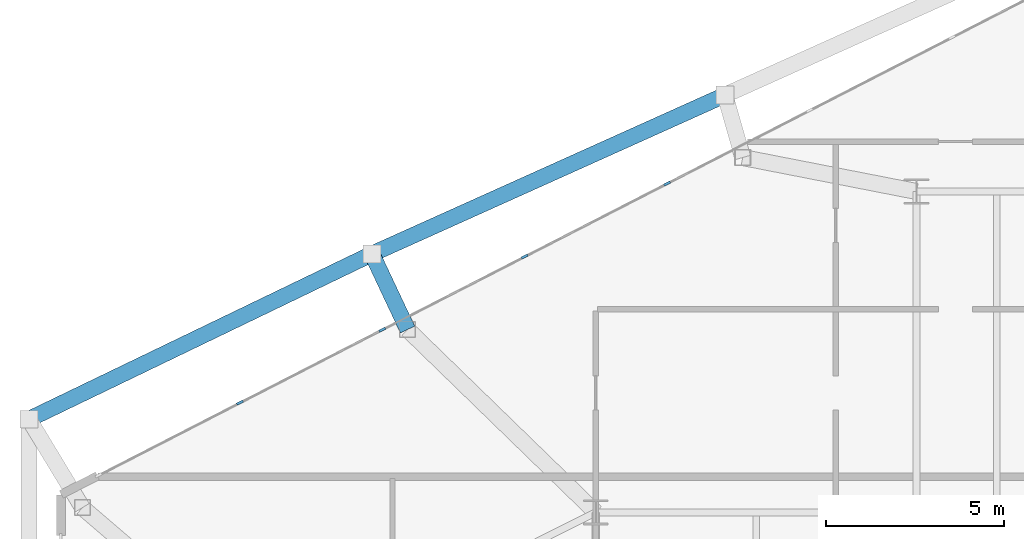
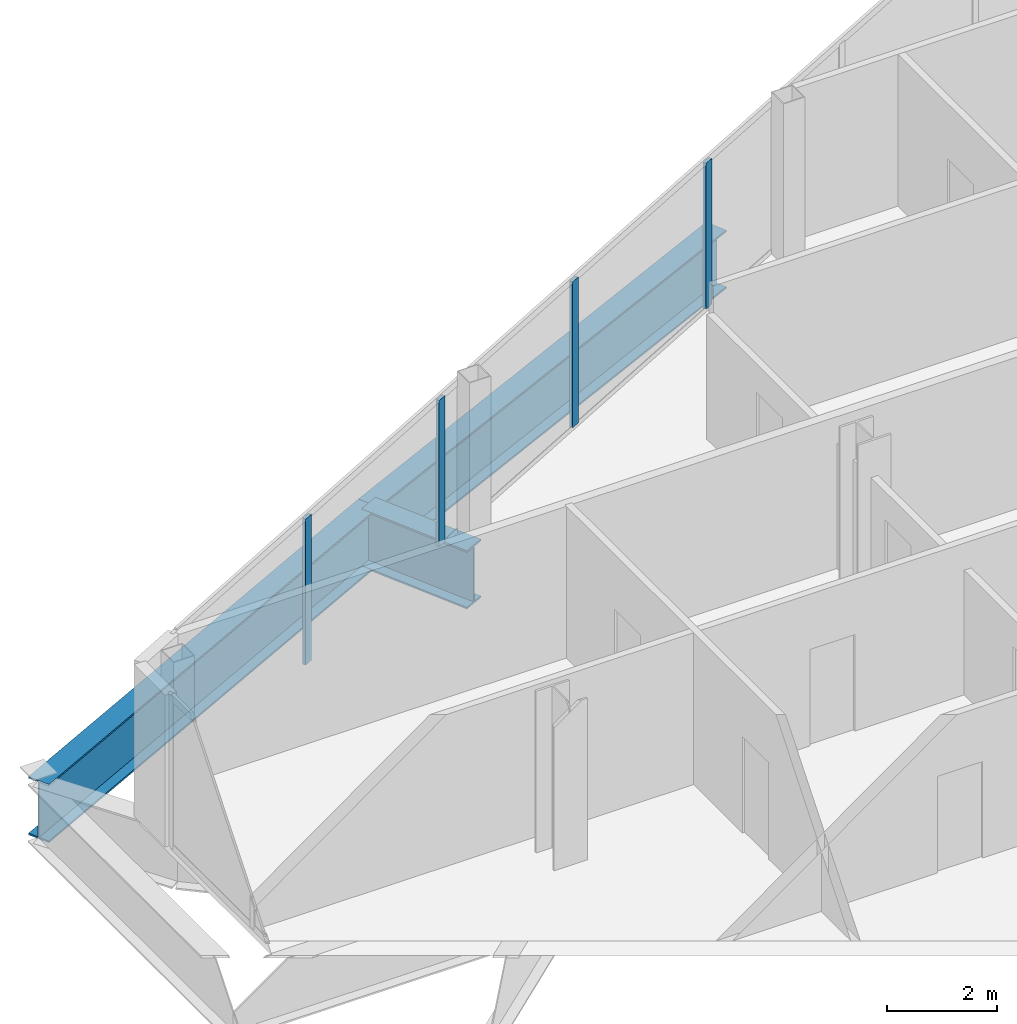
# One storey, part 7 of 28: 4 members, 3 beams, 1 element without a shape of its own.
"""IFC4 building model written with IfcOpenShell, lengths in metres."""

import ifcopenshell
import ifcopenshell.guid

model = None  # the IFC model being written
_history = None  # IfcOwnerHistory: only IFC2X3 demands one
_inside = {}  # id of a spatial element -> (the spatial element, [elements in it])
_under = {}  # id of a project, library or spatial element -> (it, [spatial elements below it])
_declared = {}  # id of a project -> (the project, [libraries it declares])
_typed = {}  # id of a type object -> (the type object, [elements of that type])
_made_of = {}  # id of a material, layer set ... -> (it, [elements and type objects made of it])


def new_model(schema):
    """Start an empty IFC model of exactly this schema.

    Asked for "IFC4X3", IfcOpenShell would pick the latest addendum, in which some entities
    have other attributes; the version numbers below select the first issue.
    IFC2X3 requires an IfcOwnerHistory on every rooted entity: one is made here for all.
    """
    global model, _history
    if schema == "IFC4X3":
        model = ifcopenshell.file(schema_version=(4, 3, 0, 0))
    else:
        model = ifcopenshell.file(schema=schema)
    _inside.clear()
    _under.clear()
    _declared.clear()
    _typed.clear()
    _made_of.clear()
    _history = None
    if model.schema == "IFC2X3":
        org = make("IfcOrganization", Name="unknown")
        user = make(
            "IfcPersonAndOrganization",
            ThePerson=make("IfcPerson", FamilyName="unknown"),
            TheOrganization=org,
        )
        app = make(
            "IfcApplication",
            ApplicationDeveloper=org,
            Version="unknown",
            ApplicationFullName="unknown",
            ApplicationIdentifier="unknown",
        )
        _history = make(
            "IfcOwnerHistory",
            OwningUser=user,
            OwningApplication=app,
            ChangeAction="ADDED",
            CreationDate=0,
        )
    return model


def make(cls, **values):
    """One entity of the class cls with the attributes given. An attribute that is None is left unset."""
    return model.create_entity(
        cls, **{name: value for name, value in values.items() if value is not None}
    )


def rooted(cls, **values):
    """An entity with a GlobalId (a new one), such as an element, a storey or a relation."""
    return make(cls, GlobalId=ifcopenshell.guid.new(), OwnerHistory=_history, **values)


def si_unit(unit_type, name, prefix=None):
    """IfcSIUnit, for example si_unit("LENGTHUNIT", "METRE", prefix="MILLI")."""
    return make("IfcSIUnit", UnitType=unit_type, Prefix=prefix, Name=name)


def assignment(units):
    """IfcUnitAssignment: the units of a project."""
    return None if units is None else make("IfcUnitAssignment", Units=units)


def point(xyz):
    """IfcCartesianPoint."""
    return None if xyz is None else make("IfcCartesianPoint", Coordinates=xyz)


def direction(xyz):
    """IfcDirection."""
    return None if xyz is None else make("IfcDirection", DirectionRatios=xyz)


def frame(location, z_axis=None, x_axis=None):
    """IfcAxis2Placement3D, a coordinate frame: its origin and axes. An axis left out is left unset."""
    return make(
        "IfcAxis2Placement3D",
        Location=point(location),
        Axis=direction(z_axis),
        RefDirection=direction(x_axis),
    )


def frame_2d(location, x_axis=None):
    """IfcAxis2Placement2D, a coordinate frame in the plane: its origin and x axis."""
    return make(
        "IfcAxis2Placement2D", Location=point(location), RefDirection=direction(x_axis)
    )


def origin():
    """The frame at (0, 0, 0) with its axes left unset."""
    return frame((0.0, 0.0, 0.0))


def origin_2d():
    """The frame at (0, 0) in the plane with its x axis left unset."""
    return frame_2d((0.0, 0.0))


def place(relative_to, where):
    """IfcLocalPlacement: puts the frame where relative to a parent placement (None: the world)."""
    return make(
        "IfcLocalPlacement", PlacementRelTo=relative_to, RelativePlacement=where
    )


def context(
    kind, dimensions, precision=None, world=None, true_north=None, identifier=None
):
    """IfcGeometricRepresentationContext, for example the 3D "Model" context."""
    return make(
        "IfcGeometricRepresentationContext",
        ContextIdentifier=identifier,
        ContextType=kind,
        CoordinateSpaceDimension=dimensions,
        Precision=precision,
        WorldCoordinateSystem=world,
        TrueNorth=true_north,
    )


def subcontext(parent, identifier, kind, view, scale=None):
    """IfcGeometricRepresentationSubContext, for example "Body" below "Model"."""
    return make(
        "IfcGeometricRepresentationSubContext",
        ContextIdentifier=identifier,
        ContextType=kind,
        ParentContext=parent,
        TargetScale=scale,
        TargetView=view,
    )


def project(units=None, contexts=None):
    """IfcProject with its units and contexts."""
    return rooted(
        "IfcProject",
        Name="project",
        RepresentationContexts=contexts,
        UnitsInContext=assignment(units),
    )


def spatial(cls, under=None, at=None, **own):
    """A site, building, storey or space (cls), placed at a placement, below another one or the project."""
    s = rooted(cls, ObjectPlacement=at, **own)
    if under is not None:
        _under.setdefault(under.id(), (under, []))[1].append(s)
    return s


def profile(cls, at=None, kind="AREA", **sizes):
    """A parametric profile (cls). Its sizes go by their IFC names, for example OverallWidth=200.0."""
    return make(cls, ProfileType=kind, Position=at, **sizes)


def rectangle(**sizes):
    """IfcRectangleProfileDef."""
    return profile("IfcRectangleProfileDef", **sizes)


def i_section(**sizes):
    """IfcIShapeProfileDef."""
    return profile("IfcIShapeProfileDef", **sizes)


def extrude(swept, where, along, depth):
    """IfcExtrudedAreaSolid: the profile swept, set in the frame where, extruded along a direction by depth."""
    return make(
        "IfcExtrudedAreaSolid",
        SweptArea=swept,
        Position=where,
        ExtrudedDirection=direction(along),
        Depth=depth,
    )


def shape(context_of_items, identifier, shape_type, items):
    """IfcShapeRepresentation: the items that make up one representation, for example the "Body"."""
    return make(
        "IfcShapeRepresentation",
        ContextOfItems=context_of_items,
        RepresentationIdentifier=identifier,
        RepresentationType=shape_type,
        Items=items,
    )


def source(mapping_origin, context_of_items, identifier, shape_type, items):
    """IfcRepresentationMap: a shape defined once, which mapped items show again and again."""
    return make(
        "IfcRepresentationMap",
        MappingOrigin=mapping_origin,
        MappedRepresentation=shape(context_of_items, identifier, shape_type, items),
    )


def transform(
    local_origin,
    x_axis=None,
    y_axis=None,
    z_axis=None,
    scale=None,
    scale2=None,
    scale3=None,
    uniform=True,
):
    """IfcCartesianTransformationOperator3D, or its non-uniform kind. x_axis, y_axis, z_axis: its Axis1, 2, 3."""
    if uniform:
        return make(
            "IfcCartesianTransformationOperator3D",
            Axis1=direction(x_axis),
            Axis2=direction(y_axis),
            LocalOrigin=point(local_origin),
            Scale=scale,
            Axis3=direction(z_axis),
        )
    return make(
        "IfcCartesianTransformationOperator3DnonUniform",
        Axis1=direction(x_axis),
        Axis2=direction(y_axis),
        LocalOrigin=point(local_origin),
        Scale=scale,
        Axis3=direction(z_axis),
        Scale2=scale2,
        Scale3=scale3,
    )


def mapped(mapping_source, mapping_target):
    """IfcMappedItem: shows the shape of a source again, moved by a transform."""
    return make(
        "IfcMappedItem", MappingSource=mapping_source, MappingTarget=mapping_target
    )


def material(Name=None, Category=None):
    """IfcMaterial."""
    return make("IfcMaterial", Name=Name, Category=Category)


def layer(
    of_material, thickness, ventilated=None, Name=None, Category=None, Priority=None
):
    """IfcMaterialLayer: one layer of a wall or slab, of a material (None: an air gap)."""
    return make(
        "IfcMaterialLayer",
        Material=of_material,
        LayerThickness=thickness,
        IsVentilated=ventilated,
        Name=Name,
        Category=Category,
        Priority=Priority,
    )


def layer_set(layers, Name=None):
    """IfcMaterialLayerSet."""
    return make("IfcMaterialLayerSet", MaterialLayers=layers, LayerSetName=Name)


def material_profile(
    of_material, cross_section, Name=None, Category=None, Priority=None
):
    """IfcMaterialProfile: a cross section and its material."""
    return make(
        "IfcMaterialProfile",
        Name=Name,
        Material=of_material,
        Profile=cross_section,
        Priority=Priority,
        Category=Category,
    )


def profile_set(profiles, Name=None, composite=None):
    """IfcMaterialProfileSet."""
    return make(
        "IfcMaterialProfileSet",
        Name=Name,
        MaterialProfiles=profiles,
        CompositeProfile=composite,
    )


def made_of(thing, what):
    """Note that an element or type object is made of a material, layer set ...; save() writes the relation."""
    if what is not None:
        _made_of.setdefault(what.id(), (what, []))[1].append(thing)
    return thing


def type_object(cls, material=None, **own):
    """A type object (cls), such as IfcWallType, which elements share."""
    return made_of(rooted(cls, **own), material)


def type_shapes(of_type, sources):
    """Give a type object the sources (RepresentationMaps) that its elements show as mapped items."""
    of_type.RepresentationMaps = sources


def element(
    cls,
    number,
    at=None,
    inside=None,
    cuts=None,
    type_object=None,
    material=None,
    context=None,
    identifier="Body",
    shape_type=None,
    held_by="IfcProductDefinitionShape",
    body=None,
    shapes=None,
    **own,
):
    """One element of the class cls, such as IfcWall. Its Tag is "e" and its number.

    at: its placement. inside: the storey or other place that contains it. cuts: it is an
    opening in that element (IfcRelVoidsElement). A single representation is given by context,
    identifier, shape_type and body (its items); several are given by shapes. held_by: the class
    of the entity that holds the representations. save() writes the other relations.
    """
    e = rooted(cls, Tag="e%d" % number, ObjectPlacement=at, **own)
    if body is not None:
        shapes = [shape(context, identifier, shape_type, body)]
    if shapes is not None:
        e.Representation = make(held_by, Representations=shapes)
    if inside is not None:
        _inside.setdefault(inside.id(), (inside, []))[1].append(e)
    if cuts is not None:
        rooted(
            "IfcRelVoidsElement", RelatingBuildingElement=cuts, RelatedOpeningElement=e
        )
    if type_object is not None:
        _typed.setdefault(type_object.id(), (type_object, []))[1].append(e)
    return made_of(e, material)


def aggregate(whole, parts):
    """IfcRelAggregates: a whole, such as a stair, and the parts it consists of."""
    return rooted("IfcRelAggregates", RelatingObject=whole, RelatedObjects=parts)


def save(model, path):
    """Write the relations noted so far, then the file.

    IfcRelAggregates (storeys below a building ...), IfcRelContainedInSpatialStructure (elements
    in a storey), IfcRelDefinesByType, IfcRelAssociatesMaterial and IfcRelDeclares: one each for
    every whole, place, type object, material and project.
    """
    for whole, parts in _under.values():
        aggregate(whole, parts)
    for where, things in _inside.values():
        rooted(
            "IfcRelContainedInSpatialStructure",
            RelatedElements=things,
            RelatingStructure=where,
        )
    for kind, things in _typed.values():
        rooted("IfcRelDefinesByType", RelatedObjects=things, RelatingType=kind)
    for what, things in _made_of.values():
        rooted("IfcRelAssociatesMaterial", RelatedObjects=things, RelatingMaterial=what)
    for by, libraries in _declared.values():
        rooted("IfcRelDeclares", RelatingContext=by, RelatedDefinitions=libraries)
    model.write(path)


model = new_model("IFC4")

# Units and contexts
model_context = context("Model", 3, precision=1e-05, world=origin(), true_north=direction((0.0, 1.0)))
body_context = subcontext(model_context, "Body", "Model", "MODEL_VIEW")
ifc_project = project(units=[si_unit("LENGTHUNIT", "METRE"), si_unit("AREAUNIT", "SQUARE_METRE"), si_unit("VOLUMEUNIT", "CUBIC_METRE"), si_unit("PLANEANGLEUNIT", "RADIAN"), si_unit("MASSUNIT", "GRAM", prefix="KILO")], contexts=[model_context])

# Site, building, storey
site_placement = place(None, origin())
site = spatial("IfcSite", under=ifc_project, at=site_placement, CompositionType="ELEMENT")
building_placement = place(site_placement, origin())
building = spatial("IfcBuilding", under=site, at=building_placement, Name="Seokmaru Belvedere", CompositionType="ELEMENT")
storey_placement = place(building_placement, frame((0.0, 0.0, 110.39990234375)))
storey = spatial("IfcBuildingStorey", under=building, at=storey_placement, Name="L29", CompositionType="ELEMENT", Elevation=110.39990234375)

# Beams
ifc_material_1 = material(Name="Steel HSA650 (650 MPa)", Category="steel")
ifc_material_profile_1 = material_profile(ifc_material_1, i_section(OverallWidth=0.449951171875, OverallDepth=1.300048828125, WebThickness=0.02197265625, FlangeThickness=0.0380859375, at=origin_2d()), Name="BH-1300x450x22x38")
ifc_profile_set_1 = profile_set([ifc_material_profile_1], Name="Steel HSA650 (650 MPa)")
beam_type = type_object("IfcBeamType", Name="Observatory Long-Span Roof Girder BH-1300", PredefinedType="BEAM", material=ifc_profile_set_1)
shared_shape_1 = source(origin(), body_context, "Body", "SweptSolid", [
    extrude(i_section(OverallWidth=0.449951171875, OverallDepth=1.300048828125, WebThickness=0.02197265625, FlangeThickness=0.0380859375, at=origin_2d()), origin(), (0.0, 0.0, 1.0), 10.85888671875),
])
beam_1_placement = place(storey_placement, frame((-50.875, 16.205322265625, -0.869873046875), z_axis=(-0.911925291223, -0.410356263785, 0.0), x_axis=(0.410356263785, -0.911925291223, 0.0)))
element("IfcBeam", 1, at=beam_1_placement, inside=storey, type_object=beam_type, Name="L29 W Faceted Flank Spandrel N-3", PredefinedType="BEAM", context=body_context, shape_type="MappedRepresentation", body=[
    mapped(shared_shape_1, transform((0.0, 0.0, 0.0), scale=1.0)),
])
shared_shape_2 = source(origin(), body_context, "Body", "SweptSolid", [
    extrude(i_section(OverallWidth=0.449951171875, OverallDepth=1.300048828125, WebThickness=0.02197265625, FlangeThickness=0.0380859375, at=origin_2d()), origin(), (0.0, 0.0, 1.0), 10.681396484375),
])
beam_2_placement = place(storey_placement, frame((-60.777587890625, 11.749267578125, -0.869873046875), z_axis=(-0.900846426616, -0.434137899352, 0.0), x_axis=(0.434137899352, -0.900846426616, 0.0)))
element("IfcBeam", 2, at=beam_2_placement, inside=storey, type_object=beam_type, Name="L29 W Faceted Flank Spandrel N-4", PredefinedType="BEAM", context=body_context, shape_type="MappedRepresentation", body=[
    mapped(shared_shape_2, transform((0.0, 0.0, 0.0), scale=1.0)),
])
shared_shape_3 = source(origin(), body_context, "Body", "SweptSolid", [
    extrude(i_section(OverallWidth=0.449951171875, OverallDepth=1.300048828125, WebThickness=0.02197265625, FlangeThickness=0.0380859375, at=origin_2d()), origin(), (0.0, 0.0, 1.0), 2.343994140625),
])
type_shapes(beam_type, [shared_shape_1, shared_shape_2, shared_shape_3])
beam_3_placement = place(storey_placement, frame((-60.777587890625, 11.749267578125, -0.869873046875), z_axis=(0.426218346971, -0.904620318534, 0.0), x_axis=(0.904620318534, 0.426218346971, 0.0)))
element("IfcBeam", 3, at=beam_3_placement, inside=storey, type_object=beam_type, Name="L29 W Flank Setback Step Girder N-3", PredefinedType="BEAM", context=body_context, shape_type="MappedRepresentation", body=[
    mapped(shared_shape_3, transform((0.0, 0.0, 0.0), scale=1.0)),
])

# Curtain wall, members
ifc_material_2 = material(Name="Bronze Triple Insulating Glass", Category="glass")
ifc_layer = layer(ifc_material_2, 0.195068359375)
ifc_layer_set = layer_set([ifc_layer], Name="Bronze Triple Insulating Glass")
curtain_wall_type = type_object("IfcCurtainWallType", Name="Sky-Lobby and Mid-Rise Curtain Wall System CW-4", PredefinedType="NOTDEFINED", material=ifc_layer_set)
curtain_wall_placement = place(storey_placement, origin())
curtain_wall = element("IfcCurtainWall", 4, at=curtain_wall_placement, inside=storey, type_object=curtain_wall_type, Name="L29 Curtain Wall WF3", PredefinedType="NOTDEFINED")
ifc_material_3 = material(Name="Anodised Bronze Aluminium", Category="aluminium")
ifc_material_profile_2 = material_profile(ifc_material_3, rectangle(XDim=0.070068359375, YDim=0.195068359375, at=origin_2d()), Name="CW-M-70x195")
ifc_profile_set_2 = profile_set([ifc_material_profile_2], Name="Anodised Bronze Aluminium")
member_type = type_object("IfcMemberType", Name="Bronze Unitised Mullion 70x195", PredefinedType="MULLION", material=ifc_profile_set_2)
shared_shape_4 = source(origin(), body_context, "Body", "SweptSolid", [
    extrude(rectangle(XDim=0.070068359375, YDim=0.195068359375, at=origin_2d()), origin(), (0.0, 0.0, 1.0), 3.25),
])
type_shapes(member_type, [shared_shape_4])
member_1_placement = place(storey_placement, frame((-52.497314453125, 13.72509765625, 0.065185546875), z_axis=(0.0, 0.0, 1.0), x_axis=(0.456554528263, -0.889695432562, 0.0)))
member_1 = element("IfcMember", 5, at=member_1_placement, type_object=member_type, Name="CW:L29:WF3 Mullion 6", PredefinedType="MULLION", context=body_context, shape_type="MappedRepresentation", body=[
    mapped(shared_shape_4, transform((0.0, 0.0, 0.0), scale=1.0)),
])
member_2_placement = place(storey_placement, frame((-56.4921875, 11.675048828125, 0.065185546875), z_axis=(0.0, 0.0, 1.0), x_axis=(0.456554528263, -0.889695432562, 0.0)))
member_2 = element("IfcMember", 6, at=member_2_placement, type_object=member_type, Name="CW:L29:WF3 Mullion 7", PredefinedType="MULLION", context=body_context, shape_type="MappedRepresentation", body=[
    mapped(shared_shape_4, transform((0.0, 0.0, 0.0), scale=1.0)),
])
member_3_placement = place(storey_placement, frame((-60.4873046875, 9.625, 0.065185546875), z_axis=(0.0, 0.0, 1.0), x_axis=(0.456554528263, -0.889695432562, 0.0)))
member_3 = element("IfcMember", 7, at=member_3_placement, type_object=member_type, Name="CW:L29:WF3 Mullion 8", PredefinedType="MULLION", context=body_context, shape_type="MappedRepresentation", body=[
    mapped(shared_shape_4, transform((0.0, 0.0, 0.0), scale=1.0)),
])
member_4_placement = place(storey_placement, frame((-64.48193359375, 7.574951171875, 0.065185546875), z_axis=(0.0, 0.0, 1.0), x_axis=(0.456554528263, -0.889695432562, 0.0)))
member_4 = element("IfcMember", 8, at=member_4_placement, type_object=member_type, Name="CW:L29:WF3 Mullion 9", PredefinedType="MULLION", context=body_context, shape_type="MappedRepresentation", body=[
    mapped(shared_shape_4, transform((0.0, 0.0, 0.0), scale=1.0)),
])
aggregate(curtain_wall, [member_1, member_2, member_3, member_4])

save(model, "model.ifc")
